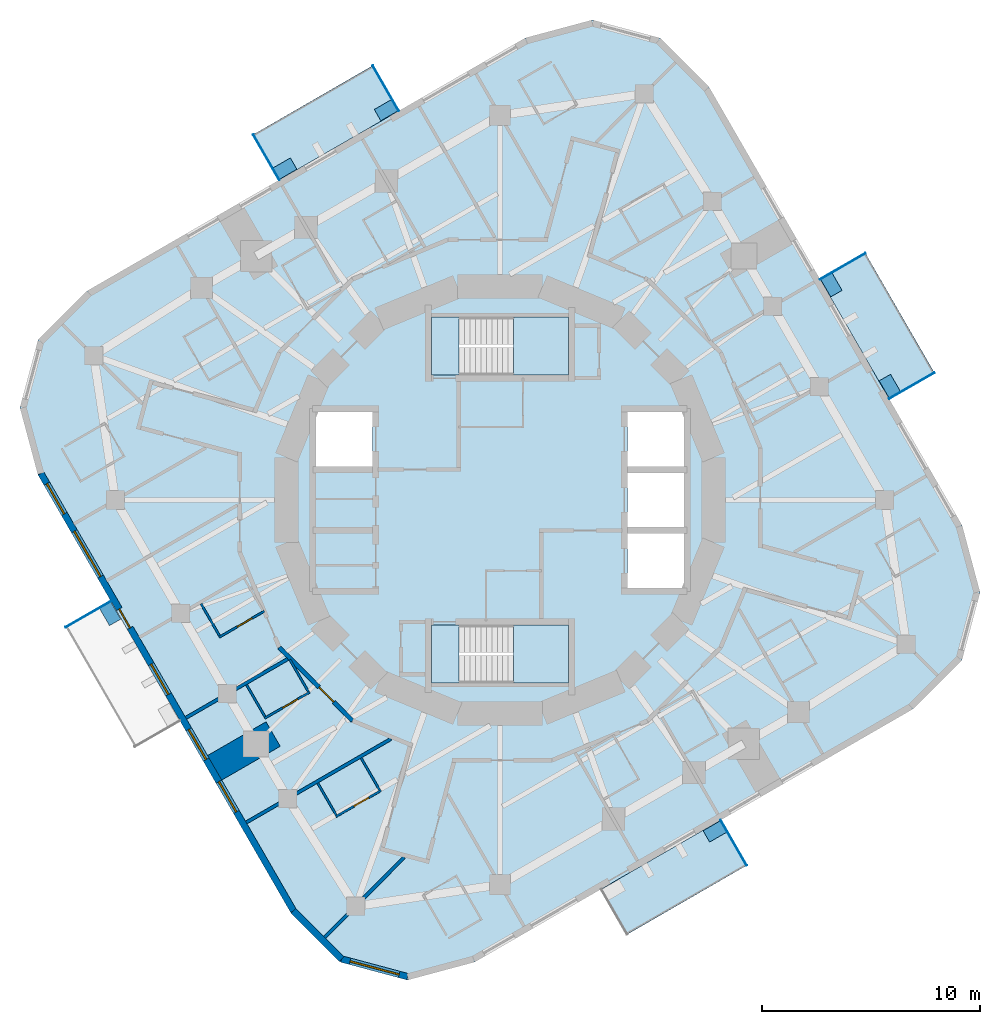
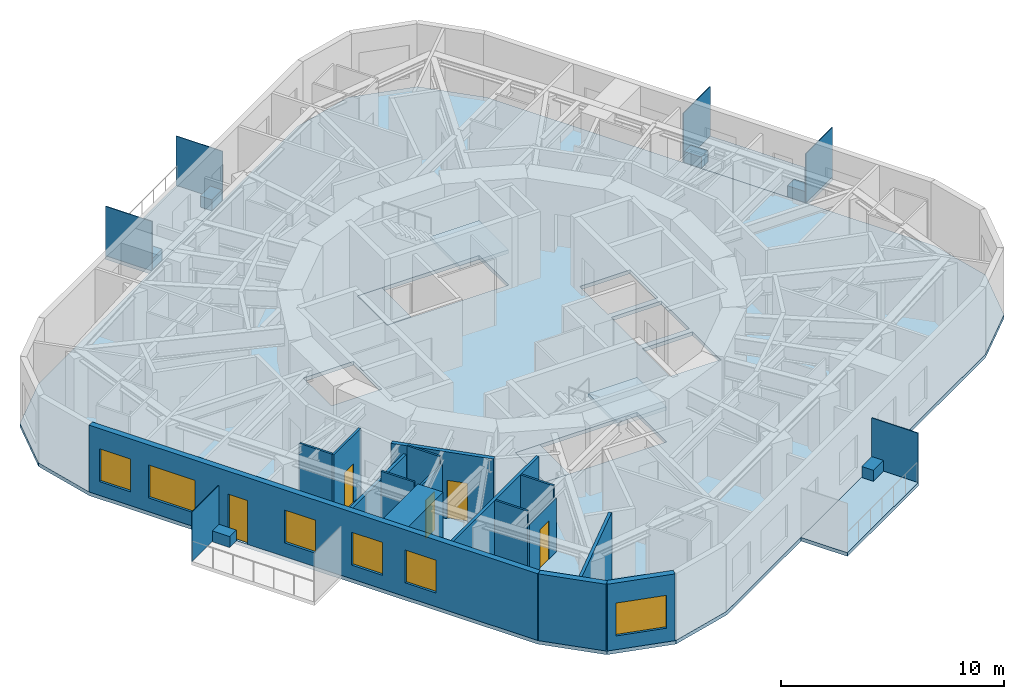
# One storey, part 3 of 11: 16 walls, 12 plates, 8 slabs, 6 windows, 5 doors, 11 openings, 2 elements without a shape of their own.
"""IFC4 building model written with IfcOpenShell, lengths in metres."""

from ifc_helpers import new_model, si_unit, direction, frame, frame_2d, origin, origin_2d, place, context, subcontext, project, spatial, polyline, rectangle, outline, extrude, material, layer, layer_set, type_object, element, fill, aggregate, save


model = new_model("IFC4")

# Units and contexts
model_context = context("Model", 3, precision=1e-05, world=origin(), true_north=direction((0.0, 1.0)))
body_context = subcontext(model_context, "Body", "Model", "MODEL_VIEW")
ifc_project = project(units=[si_unit("LENGTHUNIT", "METRE"), si_unit("AREAUNIT", "SQUARE_METRE"), si_unit("VOLUMEUNIT", "CUBIC_METRE"), si_unit("PLANEANGLEUNIT", "RADIAN"), si_unit("MASSUNIT", "GRAM", prefix="KILO")], contexts=[model_context])

# Site, building, storey
site_placement = place(None, origin())
site = spatial("IfcSite", under=ifc_project, at=site_placement, CompositionType="ELEMENT")
building_placement = place(site_placement, origin())
building = spatial("IfcBuilding", under=site, at=building_placement, Name="Nakasero Lantern House", CompositionType="ELEMENT")
storey_placement = place(building_placement, frame((0.0, 0.0, 253.89990234375)))
storey = spatial("IfcBuildingStorey", under=building, at=storey_placement, Name="L62", CompositionType="ELEMENT", Elevation=253.89990234375)

# Plates
ifc_material_1 = material(Name="Aluminium 6063-T6", Category="aluminium")
ifc_layer_1 = layer(ifc_material_1, 0.60009765625)
ifc_layer_set_1 = layer_set([ifc_layer_1], Name="Balcony planter 600x900")
plate_type_1 = type_object("IfcPlateType", Name="Balcony planter 600x900", PredefinedType="USERDEFINED", material=ifc_layer_set_1)
for number, where, z_axis, x_axis, name in (
    (1, (17.901611328125, 5.2333984375, 0.0), (0.0, 0.0, 1.0), (0.866025403784, 0.5, 0.0), "Balcony PLANTER L62 BAL0A"),
    (2, (15.225830078125, 9.867919921875, 0.0), (0.0, 0.0, 1.0), (0.866025403784, 0.5, 0.0), "Balcony PLANTER L62 BAL0B"),
    (3, (-5.2333984375, 17.901611328125, 0.0), (0.0, 0.0, 1.0), (-0.5, 0.866025403784, 0.0), "Balcony PLANTER L62 BAL1A"),
    (4, (-9.867919921875, 15.225830078125, 0.0), (0.0, 0.0, 1.0), (-0.5, 0.866025403784, 0.0), "Balcony PLANTER L62 BAL1B"),
    (5, (-17.901611328125, -5.2333984375, 0.0), (0.0, 0.0, 1.0), (-0.866025403784, -0.5, 0.0), "Balcony PLANTER L62 BAL2A"),
    (6, (9.867919921875, -15.225830078125, 0.0), (0.0, 0.0, 1.0), (0.5, -0.866025403784, 0.0), "Balcony PLANTER L62 BAL3B"),
):
    element("IfcPlate", number, at=place(storey_placement, frame(where, z_axis=z_axis, x_axis=x_axis)), inside=storey, type_object=plate_type_1, Name=name, ObjectType="PLANTER", PredefinedType="USERDEFINED", context=body_context, shape_type="SweptSolid", body=[
        extrude(rectangle(XDim=0.60009765625, YDim=0.89990234375, at=origin_2d()), origin(), (0.0, 0.0, 1.0), 0.60009765625),
    ])
ifc_material_2 = material(Name="Aluminium 6063-T6", Category="aluminium")
ifc_layer_2 = layer(ifc_material_2, 0.0400390625)
ifc_layer_set_2 = layer_set([ifc_layer_2], Name="Balcony screen 2400x2700")
plate_type_2 = type_object("IfcPlateType", Name="Balcony screen 2400x2700", PredefinedType="SHEET", material=ifc_layer_set_2)
for number, where, z_axis, x_axis, name in (
    (7, (18.90869140625, 5.2490234375, 0.0), (0.0, 0.0, 1.0), (0.866025403784, 0.5, 0.0), "Balcony SCREEN L62 BAL0A"),
    (8, (15.7431640625, 10.732177734375, 0.0), (0.0, 0.0, 1.0), (0.866025403784, 0.5, 0.0), "Balcony SCREEN L62 BAL0B"),
    (9, (-5.2490234375, 18.90869140625, 0.0), (0.0, 0.0, 1.0), (-0.5, 0.866025403784, 0.0), "Balcony SCREEN L62 BAL1A"),
    (10, (-10.732177734375, 15.7431640625, 0.0), (0.0, 0.0, 1.0), (-0.5, 0.866025403784, 0.0), "Balcony SCREEN L62 BAL1B"),
    (11, (-18.90869140625, -5.2490234375, 0.0), (0.0, 0.0, 1.0), (-0.866025403784, -0.5, 0.0), "Balcony SCREEN L62 BAL2A"),
    (12, (10.732177734375, -15.7431640625, 0.0), (0.0, 0.0, 1.0), (0.5, -0.866025403784, 0.0), "Balcony SCREEN L62 BAL3B"),
):
    element("IfcPlate", number, at=place(storey_placement, frame(where, z_axis=z_axis, x_axis=x_axis)), inside=storey, type_object=plate_type_2, Name=name, PredefinedType="SHEET", context=body_context, shape_type="SweptSolid", body=[
        extrude(rectangle(XDim=2.39990234375, YDim=0.0400390625, at=origin_2d()), origin(), (0.0, 0.0, 1.0), 2.699951171875),
    ])

# Slabs
ifc_material_3 = material(Name="Concrete C35/45", Category="concrete")
ifc_layer_3 = layer(ifc_material_3, 0.199951171875)
ifc_layer_set_3 = layer_set([ifc_layer_3], Name="Balcony slab 200")
slab_type_1 = type_object("IfcSlabType", Name="Balcony slab 200", PredefinedType="USERDEFINED", material=ifc_layer_set_3)
slab_1_placement = place(storey_placement, frame((0.0, 0.0, -0.199951171875)))
element("IfcSlab", 13, at=slab_1_placement, inside=storey, type_object=slab_type_1, Name="Balcony L62 BAL0", ObjectType="BALCONY", PredefinedType="USERDEFINED", context=body_context, shape_type="SweptSolid", body=[
    extrude(outline(polyline([(17.879638671875, 4.6318359375), (19.9580078125, 5.831787109375), (16.772216796875, 11.349609375), (14.69384765625, 10.149658203125), (17.879638671875, 4.6318359375)])), origin(), (0.0, 0.0, 1.0), 0.199951171875),
])
slab_2_placement = place(storey_placement, frame((0.0, 0.0, -0.199951171875)))
element("IfcSlab", 14, at=slab_2_placement, inside=storey, type_object=slab_type_1, Name="Balcony L62 BAL1", ObjectType="BALCONY", PredefinedType="USERDEFINED", context=body_context, shape_type="SweptSolid", body=[
    extrude(outline(polyline([(-4.6318359375, 17.879638671875), (-5.831787109375, 19.9580078125), (-11.349609375, 16.772216796875), (-10.149658203125, 14.69384765625), (-4.6318359375, 17.879638671875)])), origin(), (0.0, 0.0, 1.0), 0.199951171875),
])
slab_3_placement = place(storey_placement, frame((0.0, 0.0, -0.199951171875)))
element("IfcSlab", 15, at=slab_3_placement, inside=storey, type_object=slab_type_1, Name="Balcony L62 BAL3", ObjectType="BALCONY", PredefinedType="USERDEFINED", context=body_context, shape_type="SweptSolid", body=[
    extrude(outline(polyline([(4.6318359375, -17.879638671875), (5.831787109375, -19.9580078125), (11.349609375, -16.772216796875), (10.149658203125, -14.69384765625), (4.6318359375, -17.879638671875)])), origin(), (0.0, 0.0, 1.0), 0.199951171875),
])
ifc_material_4 = material(Name="Concrete C35/45", Category="concrete")
ifc_layer_4 = layer(ifc_material_4, 0.199951171875)
ifc_layer_set_4 = layer_set([ifc_layer_4], Name="Composite floor slab 200")
slab_type_2 = type_object("IfcSlabType", Name="Composite floor slab 200", PredefinedType="FLOOR", material=ifc_layer_set_4)
slab_4_placement = place(storey_placement, frame((0.0, 0.0, -0.199951171875)))
element("IfcSlab", 16, at=slab_4_placement, inside=storey, type_object=slab_type_2, Name="Floor slab L62", PredefinedType="FLOOR", context=body_context, shape_type="SweptSolid", body=[
    extrude(outline(polyline([(9.615234375, 18.94580078125), (7.345947265625, 21.21533203125), (4.245849609375, 22.0458984375), (1.14599609375, 21.21533203125), (-18.94580078125, 9.615234375), (-21.21533203125, 7.345947265625), (-22.0458984375, 4.245849609375), (-21.21533203125, 1.14599609375), (-9.615234375, -18.94580078125), (-7.345947265625, -21.21533203125), (-4.245849609375, -22.0458984375), (-1.14599609375, -21.21533203125), (18.94580078125, -9.615234375), (21.21533203125, -7.345947265625), (22.0458984375, -4.245849609375), (21.21533203125, -1.14599609375), (9.615234375, 18.94580078125)]), holes=[polyline([(-8.449951171875, 1.550048828125), (-5.85009765625, 1.550048828125), (-5.85009765625, 4.050048828125), (-8.449951171875, 4.050048828125), (-8.449951171875, 1.550048828125)]), polyline([(5.85009765625, -4.050048828125), (8.449951171875, -4.050048828125), (8.449951171875, -1.550048828125), (5.85009765625, -1.550048828125), (5.85009765625, -4.050048828125)]), polyline([(5.85009765625, -1.25), (8.449951171875, -1.25), (8.449951171875, 1.25), (5.85009765625, 1.25), (5.85009765625, -1.25)]), polyline([(5.85009765625, 1.550048828125), (8.449951171875, 1.550048828125), (8.449951171875, 4.050048828125), (5.85009765625, 4.050048828125), (5.85009765625, 1.550048828125)]), polyline([(-3.14990234375, 5.75), (3.14990234375, 5.75), (3.14990234375, 8.39990234375), (-3.14990234375, 8.39990234375), (-3.14990234375, 5.75)]), polyline([(-3.14990234375, -8.39990234375), (3.14990234375, -8.39990234375), (3.14990234375, -5.75), (-3.14990234375, -5.75), (-3.14990234375, -8.39990234375)])]), origin(), (0.0, 0.0, 1.0), 0.199951171875),
])

# Stair, slabs
ifc_material_5 = material(Name="Concrete C40/50", Category="concrete")
stair_type_1 = type_object("IfcStairType", Name="Escape stair ST1 22 risers", PredefinedType="HALF_TURN_STAIR", material=ifc_material_5)
stair_1_placement = place(storey_placement, origin())
stair_1 = element("IfcStair", 17, at=stair_1_placement, inside=storey, type_object=stair_type_1, Name="Escape stair ST1 L62", PredefinedType="HALF_TURN_STAIR")
ifc_material_6 = material(Name="Concrete C40/50", Category="concrete")
ifc_layer_5 = layer(ifc_material_6, 0.199951171875)
ifc_layer_set_5 = layer_set([ifc_layer_5], Name="Stair landing 200")
slab_type_3 = type_object("IfcSlabType", Name="Stair landing 200", PredefinedType="LANDING", material=ifc_layer_set_5)
slab_5_placement = place(storey_placement, frame((0.0, 0.0, -0.199951171875)))
slab_5 = element("IfcSlab", 18, at=slab_5_placement, type_object=slab_type_3, Name="ST1 landing 1", PredefinedType="LANDING", context=body_context, shape_type="SweptSolid", body=[
    extrude(outline(polyline([(-3.14990234375, 5.75), (-1.875, 5.75), (-1.875, 8.39990234375), (-3.14990234375, 8.39990234375), (-3.14990234375, 5.75)])), origin(), (0.0, 0.0, 1.0), 0.199951171875),
])
slab_6_placement = place(storey_placement, frame((0.0, 0.0, 1.72509765625)))
slab_6 = element("IfcSlab", 19, at=slab_6_placement, type_object=slab_type_3, Name="ST1 landing 2", PredefinedType="LANDING", context=body_context, shape_type="SweptSolid", body=[
    extrude(outline(polyline([(0.625, 5.75), (3.14990234375, 5.75), (3.14990234375, 8.39990234375), (0.625, 8.39990234375), (0.625, 5.75)])), origin(), (0.0, 0.0, 1.0), 0.199951171875),
])
aggregate(stair_1, [slab_5, slab_6])

ifc_material_7 = material(Name="Concrete C40/50", Category="concrete")
stair_type_2 = type_object("IfcStairType", Name="Escape stair ST2 22 risers", PredefinedType="HALF_TURN_STAIR", material=ifc_material_7)
stair_2_placement = place(storey_placement, origin())
stair_2 = element("IfcStair", 20, at=stair_2_placement, inside=storey, type_object=stair_type_2, Name="Escape stair ST2 L62", PredefinedType="HALF_TURN_STAIR")
slab_7_placement = place(storey_placement, frame((0.0, 0.0, -0.199951171875)))
slab_7 = element("IfcSlab", 21, at=slab_7_placement, type_object=slab_type_3, Name="ST2 landing 1", PredefinedType="LANDING", context=body_context, shape_type="SweptSolid", body=[
    extrude(outline(polyline([(-3.14990234375, -8.39990234375), (-1.875, -8.39990234375), (-1.875, -5.75), (-3.14990234375, -5.75), (-3.14990234375, -8.39990234375)])), origin(), (0.0, 0.0, 1.0), 0.199951171875),
])
slab_8_placement = place(storey_placement, frame((0.0, 0.0, 1.72509765625)))
slab_8 = element("IfcSlab", 22, at=slab_8_placement, type_object=slab_type_3, Name="ST2 landing 2", PredefinedType="LANDING", context=body_context, shape_type="SweptSolid", body=[
    extrude(outline(polyline([(0.625, -8.39990234375), (3.14990234375, -8.39990234375), (3.14990234375, -5.75), (0.625, -5.75), (0.625, -8.39990234375)])), origin(), (0.0, 0.0, 1.0), 0.199951171875),
])
aggregate(stair_2, [slab_7, slab_8])

# Wall
ifc_material_8 = material(Name="Blockwork", Category="masonry")
ifc_layer_6 = layer(ifc_material_8, 1.300048828125)
ifc_layer_set_6 = layer_set([ifc_layer_6], Name="Column pier 1300")
wall_type_1 = type_object("IfcWallType", Name="Column pier 1300", PredefinedType="PARTITIONING", material=ifc_layer_set_6)
wall_1_placement = place(storey_placement, frame((-10.4208984375, -10.75048828125, 0.0), z_axis=(0.0, 0.0, 1.0), x_axis=(-0.866063626216, -0.499933790963, 0.0)))
element("IfcWall", 23, at=wall_1_placement, inside=storey, type_object=wall_type_1, Name="Column pier L62 PN2-05", PredefinedType="PARTITIONING", context=body_context, shape_type="SweptSolid", body=[
    extrude(rectangle(XDim=3.10009765625, YDim=1.300048828125, at=frame_2d((1.550048828125, 0.0))), origin(), (0.0, 0.0, 1.0), 3.650146484375),
])

# Wall, opening, door
ifc_material_9 = material(Name="Blockwork", Category="masonry")
ifc_layer_7 = layer(ifc_material_9, 0.199951171875)
ifc_layer_set_7 = layer_set([ifc_layer_7], Name="Corridor wall 200")
wall_type_2 = type_object("IfcWallType", Name="Corridor wall 200", PredefinedType="PARTITIONING", material=ifc_layer_set_7)
wall_2_placement = place(storey_placement, frame((-6.773681640625, -10.137451171875, 0.0), z_axis=(0.0, 0.0, 1.0), x_axis=(-0.707106781187, 0.707106781187, 0.0)))
wall_2 = element("IfcWall", 24, at=wall_2_placement, inside=storey, type_object=wall_type_2, Name="Corridor wall L62 RC06a", PredefinedType="PARTITIONING", context=body_context, shape_type="SweptSolid", body=[
    extrude(rectangle(XDim=4.757080078125, YDim=0.199951171875, at=frame_2d((2.37841796875, 0.0))), origin(), (0.0, 0.0, 1.0), 3.650146484375),
])
opening_1_placement = place(wall_2_placement, frame((1.219970703125, 0.0, 0.0)))
opening_1 = element("IfcOpeningElement", 25, at=opening_1_placement, cuts=wall_2, Name="Opening D01", PredefinedType="OPENING", context=body_context, shape_type="SweptSolid", body=[
    extrude(rectangle(XDim=0.949951171875, YDim=2.10009765625, at=frame_2d((0.47509765625, 1.050048828125))), frame((0.0, 0.119873046875, 0.0), z_axis=(0.0, -1.0, 0.0), x_axis=(1.0, 0.0, 0.0)), (0.0, 0.0, 1.0), 0.239990234375),
])
ifc_material_10 = material(Name="Timber C24", Category="wood")
door_type_1 = type_object("IfcDoorType", Name="Bedroom door FD30S 950", OperationType="SINGLE_SWING_LEFT", PredefinedType="DOOR", material=ifc_material_10)
door_1_placement = place(opening_1_placement, origin())
door_1 = element("IfcDoor", 26, at=door_1_placement, inside=storey, type_object=door_type_1, Name="Door L62 D2-04", OperationType="SINGLE_SWING_LEFT", OverallHeight=2.10009765625, OverallWidth=0.949951171875, PredefinedType="DOOR", context=body_context, shape_type="SweptSolid", body=[
    extrude(rectangle(XDim=0.949951171875, YDim=2.10009765625, at=frame_2d((0.47509765625, 1.050048828125))), frame((0.0, 0.02490234375, 0.0), z_axis=(0.0, -1.0, 0.0), x_axis=(1.0, 0.0, 0.0)), (0.0, 0.0, 1.0), 0.050048828125),
])
fill(opening_1, door_1)

ifc_material_11 = material(Name="Blockwork", Category="masonry")
ifc_layer_8 = layer(ifc_material_11, 0.10009765625)
ifc_layer_set_8 = layer_set([ifc_layer_8], Name="En-suite wall 100")
wall_type_3 = type_object("IfcWallType", Name="En-suite wall 100", PredefinedType="PARTITIONING", material=ifc_layer_set_8)
wall_3_placement = place(storey_placement, frame((-10.822509765625, -5.104736328125, 0.0), z_axis=(0.0, 0.0, 1.0), x_axis=(-0.866024647952, -0.500001309137, 0.0)))
wall_3 = element("IfcWall", 27, at=wall_3_placement, inside=storey, type_object=wall_type_3, Name="En-suite wall L62 ES2-03", PredefinedType="PARTITIONING", context=body_context, shape_type="SweptSolid", body=[
    extrude(rectangle(XDim=2.39990234375, YDim=0.10009765625, at=frame_2d((1.199951171875, 0.0))), origin(), (0.0, 0.0, 1.0), 3.650146484375),
])
opening_2_placement = place(wall_3_placement, frame((0.64990234375, 0.0, 0.0)))
opening_2 = element("IfcOpeningElement", 28, at=opening_2_placement, cuts=wall_3, Name="Opening D02", PredefinedType="OPENING", context=body_context, shape_type="SweptSolid", body=[
    extrude(rectangle(XDim=0.800048828125, YDim=2.10009765625, at=frame_2d((0.39990234375, 1.050048828125))), frame((0.0, 0.070068359375, 0.0), z_axis=(0.0, -1.0, 0.0), x_axis=(1.0, 0.0, 0.0)), (0.0, 0.0, 1.0), 0.14013671875),
])
ifc_material_12 = material(Name="Timber C24", Category="wood")
door_type_2 = type_object("IfcDoorType", Name="En-suite door 800", OperationType="SINGLE_SWING_RIGHT", PredefinedType="DOOR", material=ifc_material_12)
door_2_placement = place(opening_2_placement, origin())
door_2 = element("IfcDoor", 29, at=door_2_placement, inside=storey, type_object=door_type_2, Name="Door L62 DE2-03", OperationType="SINGLE_SWING_LEFT", OverallHeight=2.10009765625, OverallWidth=0.800048828125, PredefinedType="DOOR", context=body_context, shape_type="SweptSolid", body=[
    extrude(rectangle(XDim=0.800048828125, YDim=2.10009765625, at=frame_2d((0.39990234375, 1.050048828125))), frame((0.0, 0.02490234375, 0.0), z_axis=(0.0, -1.0, 0.0), x_axis=(1.0, 0.0, 0.0)), (0.0, 0.0, 1.0), 0.050048828125),
])
fill(opening_2, door_2)

# Wall
wall_4_placement = place(storey_placement, frame((-13.732666015625, -4.76416015625, 0.0), z_axis=(0.0, 0.0, 1.0), x_axis=(0.500062241894, -0.865989465428, 0.0)))
element("IfcWall", 30, at=wall_4_placement, inside=storey, type_object=wall_type_3, Name="En-suite wall L62 EE2-03", PredefinedType="PARTITIONING", context=body_context, shape_type="SweptSolid", body=[
    extrude(rectangle(XDim=1.699951171875, YDim=0.10009765625, at=frame_2d((0.85009765625, 0.0))), origin(), (0.0, 0.0, 1.0), 3.650146484375),
])

# Wall, opening, door
wall_5_placement = place(storey_placement, frame((-8.732177734375, -8.82421875, 0.0), z_axis=(0.0, 0.0, 1.0), x_axis=(-0.866024647952, -0.500001309137, 0.0)))
wall_5 = element("IfcWall", 31, at=wall_5_placement, inside=storey, type_object=wall_type_3, Name="En-suite wall L62 ES2-04", PredefinedType="PARTITIONING", context=body_context, shape_type="SweptSolid", body=[
    extrude(rectangle(XDim=2.39990234375, YDim=0.10009765625, at=frame_2d((1.199951171875, 0.0))), origin(), (0.0, 0.0, 1.0), 3.19677734375),
])
opening_3_placement = place(wall_5_placement, frame((0.64990234375, 0.0, 0.0)))
opening_3 = element("IfcOpeningElement", 32, at=opening_3_placement, cuts=wall_5, Name="Opening D02", PredefinedType="OPENING", context=body_context, shape_type="SweptSolid", body=[
    extrude(rectangle(XDim=0.800048828125, YDim=2.10009765625, at=frame_2d((0.39990234375, 1.050048828125))), frame((0.0, 0.070068359375, 0.0), z_axis=(0.0, -1.0, 0.0), x_axis=(1.0, 0.0, 0.0)), (0.0, 0.0, 1.0), 0.14013671875),
])
door_3_placement = place(opening_3_placement, origin())
door_3 = element("IfcDoor", 33, at=door_3_placement, inside=storey, type_object=door_type_2, Name="Door L62 DE2-04", OperationType="SINGLE_SWING_LEFT", OverallHeight=2.10009765625, OverallWidth=0.800048828125, PredefinedType="DOOR", context=body_context, shape_type="SweptSolid", body=[
    extrude(rectangle(XDim=0.800048828125, YDim=2.10009765625, at=frame_2d((0.39990234375, 1.050048828125))), frame((0.0, 0.02490234375, 0.0), z_axis=(0.0, -1.0, 0.0), x_axis=(1.0, 0.0, 0.0)), (0.0, 0.0, 1.0), 0.050048828125),
])
fill(opening_3, door_3)

# Walls
for number, where, z_axis, x_axis, name in (
    (34, (-11.642333984375, -8.483642578125, 0.0), (0.0, 0.0, 1.0), (0.500062241894, -0.865989465428, 0.0), "En-suite wall L62 EE2-04"),
    (35, (-9.650390625, -7.333740234375, 0.0), (0.0, 0.0, 1.0), (0.499954529098, -0.86605165483, 0.0), "En-suite wall L62 EI2-04"),
):
    element("IfcWall", number, at=place(storey_placement, frame(where, z_axis=z_axis, x_axis=x_axis)), inside=storey, type_object=wall_type_3, Name=name, PredefinedType="PARTITIONING", context=body_context, shape_type="SweptSolid", body=[
        extrude(rectangle(XDim=1.699951171875, YDim=0.10009765625, at=frame_2d((0.85009765625, 0.0))), origin(), (0.0, 0.0, 1.0), 3.650146484375),
    ])

# Wall, opening, door
wall_6_placement = place(storey_placement, frame((-5.46044921875, -13.342041015625, 0.0), z_axis=(0.0, 0.0, 1.0), x_axis=(-0.866006032174, -0.500033551112, 0.0)))
wall_6 = element("IfcWall", 36, at=wall_6_placement, inside=storey, type_object=wall_type_3, Name="En-suite wall L62 ES2-06", PredefinedType="PARTITIONING", context=body_context, shape_type="SweptSolid", body=[
    extrude(rectangle(XDim=2.400146484375, YDim=0.10009765625, at=frame_2d((1.2001953125, 0.0))), origin(), (0.0, 0.0, 1.0), 2.957275390625),
])
opening_4_placement = place(wall_6_placement, frame((0.64990234375, 0.0, 0.0)))
opening_4 = element("IfcOpeningElement", 37, at=opening_4_placement, cuts=wall_6, Name="Opening D02", PredefinedType="OPENING", context=body_context, shape_type="SweptSolid", body=[
    extrude(rectangle(XDim=0.800048828125, YDim=2.10009765625, at=frame_2d((0.39990234375, 1.050048828125))), frame((0.0, 0.070068359375, 0.0), z_axis=(0.0, -1.0, 0.0), x_axis=(1.0, 0.0, 0.0)), (0.0, 0.0, 1.0), 0.14013671875),
])
door_4_placement = place(opening_4_placement, origin())
door_4 = element("IfcDoor", 38, at=door_4_placement, inside=storey, type_object=door_type_2, Name="Door L62 DE2-06", OperationType="SINGLE_SWING_LEFT", OverallHeight=2.10009765625, OverallWidth=0.800048828125, PredefinedType="DOOR", context=body_context, shape_type="SweptSolid", body=[
    extrude(rectangle(XDim=0.800048828125, YDim=2.10009765625, at=frame_2d((0.39990234375, 1.050048828125))), frame((0.0, 0.02490234375, 0.0), z_axis=(0.0, -1.0, 0.0), x_axis=(1.0, 0.0, 0.0)), (0.0, 0.0, 1.0), 0.050048828125),
])
fill(opening_4, door_4)

# Walls
for number, where, z_axis, x_axis, name in (
    (39, (-8.37060546875, -13.001708984375, 0.0), (0.0, 0.0, 1.0), (0.499954529098, -0.86605165483, 0.0), "En-suite wall L62 EE2-06"),
    (40, (-6.37890625, -11.8515625, 0.0), (0.0, 0.0, 1.0), (0.500062241894, -0.865989465428, 0.0), "En-suite wall L62 EI2-06"),
):
    element("IfcWall", number, at=place(storey_placement, frame(where, z_axis=z_axis, x_axis=x_axis)), inside=storey, type_object=wall_type_3, Name=name, PredefinedType="PARTITIONING", context=body_context, shape_type="SweptSolid", body=[
        extrude(rectangle(XDim=1.699951171875, YDim=0.10009765625, at=frame_2d((0.85009765625, 0.0))), origin(), (0.0, 0.0, 1.0), 3.650146484375),
    ])

# Wall, openings, door, windows
ifc_material_13 = material(Name="Aluminium rainscreen on blockwork", Category="masonry")
ifc_layer_9 = layer(ifc_material_13, 0.300048828125)
ifc_layer_set_9 = layer_set([ifc_layer_9], Name="Facade wall 300")
wall_type_4 = type_object("IfcWallType", Name="Facade wall 300", PredefinedType="SOLIDWALL", material=ifc_layer_set_9)
wall_7_placement = place(storey_placement, frame((-21.08544921875, 1.220947265625, 0.0), z_axis=(0.0, 0.0, 1.0), x_axis=(0.500003016864, -0.86602366199, 0.0)))
wall_7 = element("IfcWall", 41, at=wall_7_placement, inside=storey, type_object=wall_type_4, Name="Facade wall L62 FW2S", PredefinedType="SOLIDWALL", context=body_context, shape_type="SweptSolid", body=[
    extrude(rectangle(XDim=23.199951171875, YDim=0.300048828125, at=frame_2d((11.60009765625, 0.0))), origin(), (0.0, 0.0, 1.0), 3.650146484375),
])
opening_5_placement = place(wall_7_placement, frame((0.5458984375, 0.0, 0.75)))
opening_5 = element("IfcOpeningElement", 42, at=opening_5_placement, cuts=wall_7, Name="Opening W01", PredefinedType="OPENING", context=body_context, shape_type="SweptSolid", body=[
    extrude(rectangle(XDim=1.60009765625, YDim=1.800048828125, at=frame_2d((0.800048828125, 0.89990234375))), frame((0.0, 0.169921875, 0.0), z_axis=(0.0, -1.0, 0.0), x_axis=(1.0, 0.0, 0.0)), (0.0, 0.0, 1.0), 0.340087890625),
])
opening_6_placement = place(wall_7_placement, frame((10.11767578125, 0.0, 0.75)))
opening_6 = element("IfcOpeningElement", 43, at=opening_6_placement, cuts=wall_7, Name="Opening W01", PredefinedType="OPENING", context=body_context, shape_type="SweptSolid", body=[
    extrude(rectangle(XDim=1.60009765625, YDim=1.800048828125, at=frame_2d((0.800048828125, 0.89990234375))), frame((0.0, 0.169921875, 0.0), z_axis=(0.0, -1.0, 0.0), x_axis=(1.0, 0.0, 0.0)), (0.0, 0.0, 1.0), 0.340087890625),
])
opening_7_placement = place(wall_7_placement, frame((13.5751953125, 0.0, 0.75)))
opening_7 = element("IfcOpeningElement", 44, at=opening_7_placement, cuts=wall_7, Name="Opening W01", PredefinedType="OPENING", context=body_context, shape_type="SweptSolid", body=[
    extrude(rectangle(XDim=1.60009765625, YDim=1.800048828125, at=frame_2d((0.800048828125, 0.89990234375))), frame((0.0, 0.169921875, 0.0), z_axis=(0.0, -1.0, 0.0), x_axis=(1.0, 0.0, 0.0)), (0.0, 0.0, 1.0), 0.340087890625),
])
opening_8_placement = place(wall_7_placement, frame((16.349609375, 0.0, 0.75)))
opening_8 = element("IfcOpeningElement", 45, at=opening_8_placement, cuts=wall_7, Name="Opening W01", PredefinedType="OPENING", context=body_context, shape_type="SweptSolid", body=[
    extrude(rectangle(XDim=1.60009765625, YDim=1.800048828125, at=frame_2d((0.800048828125, 0.89990234375))), frame((0.0, 0.169921875, 0.0), z_axis=(0.0, -1.0, 0.0), x_axis=(1.0, 0.0, 0.0)), (0.0, 0.0, 1.0), 0.340087890625),
])
opening_9_placement = place(wall_7_placement, frame((3.071044921875, 0.0, 0.75)))
opening_9 = element("IfcOpeningElement", 46, at=opening_9_placement, cuts=wall_7, Name="Opening W03", PredefinedType="OPENING", context=body_context, shape_type="SweptSolid", body=[
    extrude(rectangle(XDim=2.39990234375, YDim=1.800048828125, at=frame_2d((1.199951171875, 0.89990234375))), frame((0.0, 0.169921875, 0.0), z_axis=(0.0, -1.0, 0.0), x_axis=(1.0, 0.0, 0.0)), (0.0, 0.0, 1.0), 0.340087890625),
])
opening_10_placement = place(wall_7_placement, frame((7.1904296875, 0.0, 0.0)))
opening_10 = element("IfcOpeningElement", 47, at=opening_10_placement, cuts=wall_7, Name="Opening D04", PredefinedType="OPENING", context=body_context, shape_type="SweptSolid", body=[
    extrude(rectangle(XDim=1.0, YDim=2.39990234375, at=frame_2d((0.5, 1.199951171875))), frame((0.0, 0.169921875, 0.0), z_axis=(0.0, -1.0, 0.0), x_axis=(1.0, 0.0, 0.0)), (0.0, 0.0, 1.0), 0.340087890625),
])
ifc_material_14 = material(Name="Aluminium 6063-T6 and glass", Category="aluminium")
door_type_3 = type_object("IfcDoorType", Name="Balcony door 1000x2400", OperationType="SINGLE_SWING_RIGHT", PredefinedType="DOOR", material=ifc_material_14)
door_5_placement = place(opening_10_placement, origin())
door_5 = element("IfcDoor", 48, at=door_5_placement, inside=storey, type_object=door_type_3, Name="Balcony door L62 DB2", OperationType="SINGLE_SWING_RIGHT", OverallHeight=2.39990234375, OverallWidth=1.0, PredefinedType="DOOR", context=body_context, shape_type="SweptSolid", body=[
    extrude(rectangle(XDim=1.0, YDim=2.39990234375, at=frame_2d((0.5, 1.199951171875))), frame((0.0, 0.02490234375, 0.0), z_axis=(0.0, -1.0, 0.0), x_axis=(1.0, 0.0, 0.0)), (0.0, 0.0, 1.0), 0.050048828125),
])
fill(opening_10, door_5)
ifc_material_15 = material(Name="Aluminium 6063-T6 and glass", Category="aluminium")
window_type_1 = type_object("IfcWindowType", Name="Bedroom window 1600x1800", PartitioningType="SINGLE_PANEL", PredefinedType="WINDOW", material=ifc_material_15)
window_1_placement = place(opening_5_placement, origin())
window_1 = element("IfcWindow", 49, at=window_1_placement, inside=storey, type_object=window_type_1, Name="Window L62 WN2-00", OverallHeight=1.800048828125, OverallWidth=1.60009765625, PartitioningType="SINGLE_PANEL", PredefinedType="WINDOW", context=body_context, shape_type="SweptSolid", body=[
    extrude(rectangle(XDim=1.60009765625, YDim=1.800048828125, at=frame_2d((0.800048828125, 0.89990234375))), frame((0.0, 0.030029296875, 0.0), z_axis=(0.0, -1.0, 0.0), x_axis=(1.0, 0.0, 0.0)), (0.0, 0.0, 1.0), 0.06005859375),
])
fill(opening_5, window_1)
window_2_placement = place(opening_6_placement, origin())
window_2 = element("IfcWindow", 50, at=window_2_placement, inside=storey, type_object=window_type_1, Name="Window L62 WN2-03", OverallHeight=1.800048828125, OverallWidth=1.60009765625, PartitioningType="SINGLE_PANEL", PredefinedType="WINDOW", context=body_context, shape_type="SweptSolid", body=[
    extrude(rectangle(XDim=1.60009765625, YDim=1.800048828125, at=frame_2d((0.800048828125, 0.89990234375))), frame((0.0, 0.030029296875, 0.0), z_axis=(0.0, -1.0, 0.0), x_axis=(1.0, 0.0, 0.0)), (0.0, 0.0, 1.0), 0.06005859375),
])
fill(opening_6, window_2)
window_3_placement = place(opening_7_placement, origin())
window_3 = element("IfcWindow", 51, at=window_3_placement, inside=storey, type_object=window_type_1, Name="Window L62 WN2-04", OverallHeight=1.800048828125, OverallWidth=1.60009765625, PartitioningType="SINGLE_PANEL", PredefinedType="WINDOW", context=body_context, shape_type="SweptSolid", body=[
    extrude(rectangle(XDim=1.60009765625, YDim=1.800048828125, at=frame_2d((0.800048828125, 0.89990234375))), frame((0.0, 0.030029296875, 0.0), z_axis=(0.0, -1.0, 0.0), x_axis=(1.0, 0.0, 0.0)), (0.0, 0.0, 1.0), 0.06005859375),
])
fill(opening_7, window_3)
window_4_placement = place(opening_8_placement, origin())
window_4 = element("IfcWindow", 52, at=window_4_placement, inside=storey, type_object=window_type_1, Name="Window L62 WN2-05", OverallHeight=1.800048828125, OverallWidth=1.60009765625, PartitioningType="SINGLE_PANEL", PredefinedType="WINDOW", context=body_context, shape_type="SweptSolid", body=[
    extrude(rectangle(XDim=1.60009765625, YDim=1.800048828125, at=frame_2d((0.800048828125, 0.89990234375))), frame((0.0, 0.030029296875, 0.0), z_axis=(0.0, -1.0, 0.0), x_axis=(1.0, 0.0, 0.0)), (0.0, 0.0, 1.0), 0.06005859375),
])
fill(opening_8, window_4)
ifc_material_16 = material(Name="Aluminium 6063-T6 and glass", Category="aluminium")
window_type_2 = type_object("IfcWindowType", Name="Lounge window 2400x1800", PartitioningType="SINGLE_PANEL", PredefinedType="WINDOW", material=ifc_material_16)
window_5_placement = place(opening_9_placement, origin())
window_5 = element("IfcWindow", 53, at=window_5_placement, inside=storey, type_object=window_type_2, Name="Window L62 WK2", OverallHeight=1.800048828125, OverallWidth=2.39990234375, PartitioningType="SINGLE_PANEL", PredefinedType="WINDOW", context=body_context, shape_type="SweptSolid", body=[
    extrude(rectangle(XDim=2.39990234375, YDim=1.800048828125, at=frame_2d((1.199951171875, 0.89990234375))), frame((0.0, 0.030029296875, 0.0), z_axis=(0.0, -1.0, 0.0), x_axis=(1.0, 0.0, 0.0)), (0.0, 0.0, 1.0), 0.06005859375),
])
fill(opening_9, window_5)

# Wall
wall_8_placement = place(storey_placement, frame((-9.4853515625, -18.870849609375, 0.0), z_axis=(0.0, 0.0, 1.0), x_axis=(0.707067801733, -0.707145758492, 0.0)))
element("IfcWall", 54, at=wall_8_placement, inside=storey, type_object=wall_type_4, Name="Facade wall L62 FW2C1", PredefinedType="SOLIDWALL", context=body_context, shape_type="SweptSolid", body=[
    extrude(rectangle(XDim=3.1318359375, YDim=0.300048828125, at=frame_2d((1.56591796875, 0.0))), origin(), (0.0, 0.0, 1.0), 3.650146484375),
])

# Wall, opening, window
wall_9_placement = place(storey_placement, frame((-7.27099609375, -21.08544921875, 0.0), z_axis=(0.0, 0.0, 1.0), x_axis=(0.965928914048, -0.258807521156, 0.0)))
wall_9 = element("IfcWall", 55, at=wall_9_placement, inside=storey, type_object=wall_type_4, Name="Facade wall L62 FW2C2", PredefinedType="SOLIDWALL", context=body_context, shape_type="SweptSolid", body=[
    extrude(rectangle(XDim=3.1318359375, YDim=0.300048828125, at=frame_2d((1.56591796875, 0.0))), origin(), (0.0, 0.0, 1.0), 3.650146484375),
])
opening_11_placement = place(wall_9_placement, frame((0.39990234375, 0.0, 0.75)))
opening_11 = element("IfcOpeningElement", 56, at=opening_11_placement, cuts=wall_9, Name="Opening W223", PredefinedType="OPENING", context=body_context, shape_type="SweptSolid", body=[
    extrude(rectangle(XDim=2.33203125, YDim=1.800048828125, at=frame_2d((1.166015625, 0.89990234375))), frame((0.0, 0.169921875, 0.0), z_axis=(0.0, -1.0, 0.0), x_axis=(1.0, 0.0, 0.0)), (0.0, 0.0, 1.0), 0.340087890625),
])
ifc_material_17 = material(Name="Aluminium 6063-T6 and glass", Category="aluminium")
window_type_3 = type_object("IfcWindowType", Name="Corner window 2332x1800", PartitioningType="SINGLE_PANEL", PredefinedType="WINDOW", material=ifc_material_17)
window_6_placement = place(opening_11_placement, origin())
window_6 = element("IfcWindow", 57, at=window_6_placement, inside=storey, type_object=window_type_3, Name="Window L62 WC2", OverallHeight=1.800048828125, OverallWidth=2.33203125, PartitioningType="SINGLE_PANEL", PredefinedType="WINDOW", context=body_context, shape_type="SweptSolid", body=[
    extrude(rectangle(XDim=2.33203125, YDim=1.800048828125, at=frame_2d((1.166015625, 0.89990234375))), frame((0.0, 0.030029296875, 0.0), z_axis=(0.0, -1.0, 0.0), x_axis=(1.0, 0.0, 0.0)), (0.0, 0.0, 1.0), 0.06005859375),
])
fill(opening_11, window_6)

# Walls
ifc_material_18 = material(Name="Blockwork", Category="masonry")
ifc_layer_10 = layer(ifc_material_18, 0.14990234375)
ifc_layer_set_10 = layer_set([ifc_layer_10], Name="Party wall 150")
wall_type_5 = type_object("IfcWallType", Name="Party wall 150", PredefinedType="PARTITIONING", material=ifc_layer_set_10)
wall_10_placement = place(storey_placement, frame((-9.748779296875, -7.3037109375, 0.0), z_axis=(0.0, 0.0, 1.0), x_axis=(-0.86600807666, -0.500030010259, 0.0)))
element("IfcWall", 58, at=wall_10_placement, inside=storey, type_object=wall_type_5, Name="Party wall L62 PW2-04", PredefinedType="PARTITIONING", context=body_context, shape_type="SweptSolid", body=[
    extrude(rectangle(XDim=5.405517578125, YDim=0.14990234375, at=frame_2d((2.70263671875, 0.0))), origin(), (0.0, 0.0, 1.0), 3.190185546875),
])
wall_11_placement = place(storey_placement, frame((-5.011474609375, -10.9755859375, 0.0), z_axis=(0.0, 0.0, 1.0), x_axis=(-0.866033500054, -0.499985976588, 0.0)))
element("IfcWall", 59, at=wall_11_placement, inside=storey, type_object=wall_type_5, Name="Party wall L62 PW2-06", PredefinedType="PARTITIONING", context=body_context, shape_type="SweptSolid", body=[
    extrude(rectangle(XDim=7.672119140625, YDim=0.14990234375, at=frame_2d((3.8359375, 0.0))), origin(), (0.0, 0.0, 1.0), 3.650146484375),
])
wall_12_placement = place(storey_placement, frame((-4.3984375, -16.414794921875, 0.0), z_axis=(0.0, 0.0, 1.0), x_axis=(-0.705549334897, -0.708660804635, 0.0)))
element("IfcWall", 60, at=wall_12_placement, inside=storey, type_object=wall_type_5, Name="Party wall L62 PW3-00", PredefinedType="PARTITIONING", context=body_context, shape_type="SweptSolid", body=[
    extrude(rectangle(XDim=5.1787109375, YDim=0.14990234375, at=frame_2d((2.58935546875, 0.0))), origin(), (0.0, 0.0, 1.0), 3.650146484375),
])

save(model, "model.ifc")
